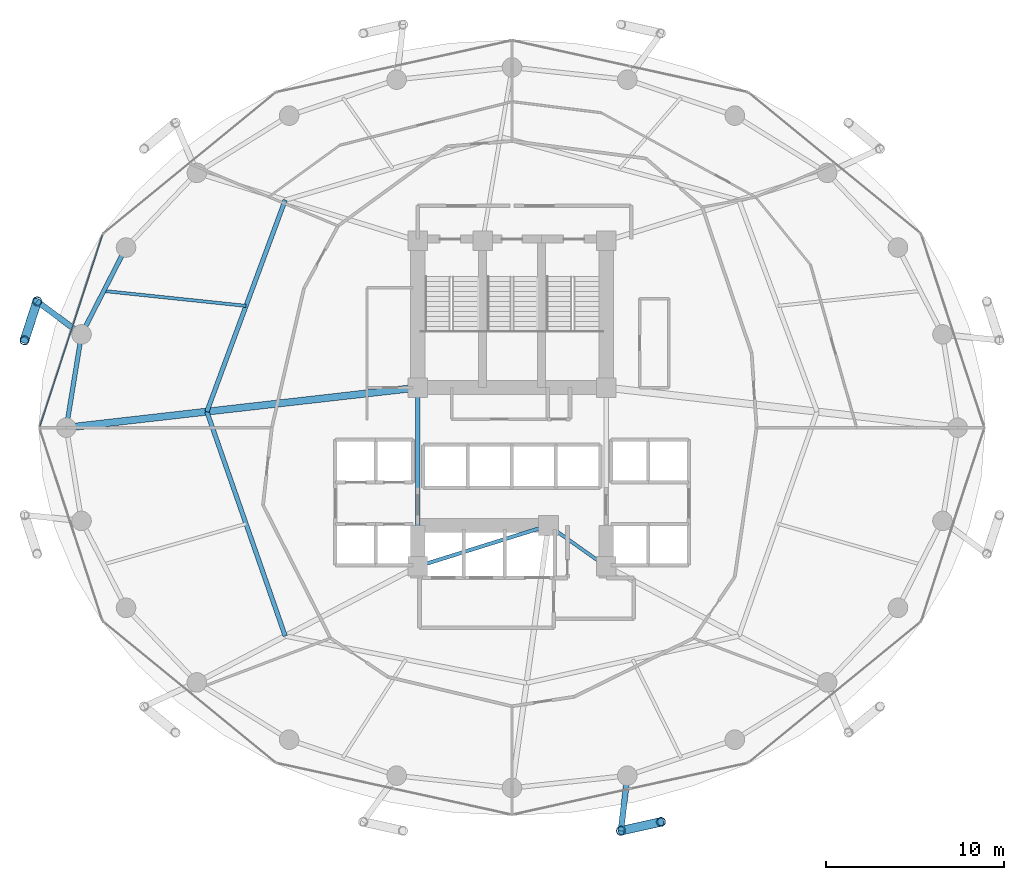
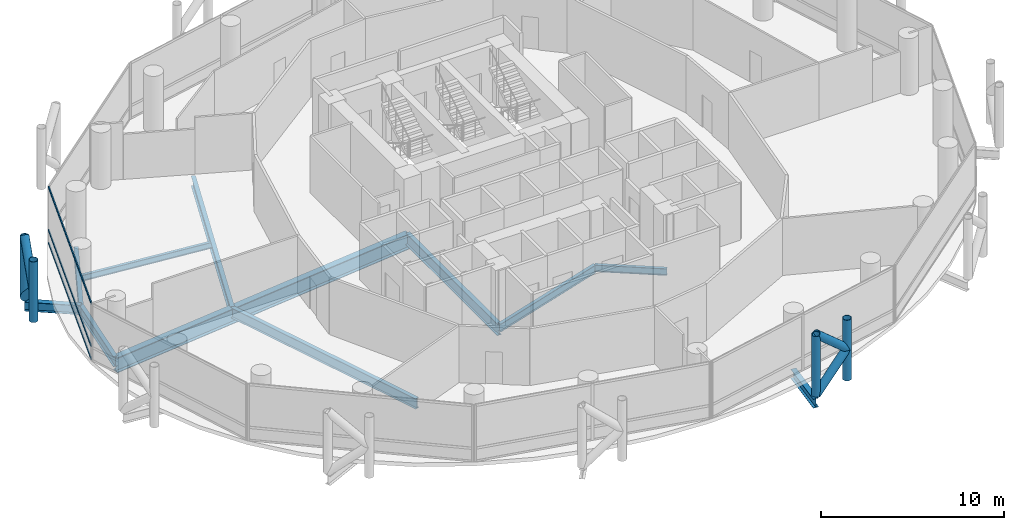
# One storey, part 7 of 25: 11 beams, 11 members, 1 element without a shape of its own.
"""IFC4 building model written with IfcOpenShell, lengths in metres."""

from ifc_helpers import new_model, si_unit, direction, frame, origin, origin_2d, place, context, subcontext, project, spatial, hollow_rectangle, hollow_circle, i_section, extrude, material, layer, layer_set, material_profile, profile_set, type_object, element, aggregate, save


model = new_model("IFC4")

# Units and contexts
model_context = context("Model", 3, precision=1e-05, world=origin(), true_north=direction((0.0, 1.0)))
body_context = subcontext(model_context, "Body", "Model", "MODEL_VIEW")
ifc_project = project(units=[si_unit("LENGTHUNIT", "METRE"), si_unit("AREAUNIT", "SQUARE_METRE"), si_unit("VOLUMEUNIT", "CUBIC_METRE"), si_unit("PLANEANGLEUNIT", "RADIAN"), si_unit("MASSUNIT", "GRAM", prefix="KILO")], contexts=[model_context])

# Site, building, storey
site_placement = place(None, origin())
site = spatial("IfcSite", under=ifc_project, at=site_placement, CompositionType="ELEMENT")
building_placement = place(site_placement, origin())
building = spatial("IfcBuilding", under=site, at=building_placement, Name="Nuhasar Tower", CompositionType="ELEMENT")
storey_placement = place(building_placement, frame((0.0, 0.0, 49.35009765625)))
storey = spatial("IfcBuildingStorey", under=building, at=storey_placement, Name="L11", CompositionType="ELEMENT", Elevation=49.35009765625)

# Beams
ifc_material_1 = material(Name="Steel S355", Category="steel")
ifc_material_profile_1 = material_profile(ifc_material_1, i_section(OverallWidth=0.25390625, OverallDepth=0.68408203125, WebThickness=0.012451171875, FlangeThickness=0.018798828125, at=origin_2d()), Name="W27X94")
ifc_profile_set_1 = profile_set([ifc_material_profile_1], Name="Steel S355")
beam_type_1 = type_object("IfcBeamType", Name="BM-INRING-W27X94", PredefinedType="BEAM", material=ifc_profile_set_1)
beam_1_placement = place(storey_placement, frame((26.251953125, 39.591064453125, -0.60205078125), z_axis=(-0.34715757476, -0.937806812881, 0.0), x_axis=(0.937806812881, -0.34715757476, 0.0)))
element("IfcBeam", 1, at=beam_1_placement, inside=storey, type_object=beam_type_1, Name="L11 Inner Header Beam 07", PredefinedType="BEAM", context=body_context, shape_type="SweptSolid", body=[
    extrude(i_section(OverallWidth=0.25390625, OverallDepth=0.68408203125, WebThickness=0.012451171875, FlangeThickness=0.018798828125, at=origin_2d()), origin(), (0.0, 0.0, 1.0), 12.6796875),
])
beam_2_placement = place(storey_placement, frame((21.85009765625, 27.699951171875, -0.60205078125), z_axis=(0.329554049858, -0.944136710558, 0.0), x_axis=(0.944136710558, 0.329554049858, 0.0)))
element("IfcBeam", 2, at=beam_2_placement, inside=storey, type_object=beam_type_1, Name="L11 Inner Header Beam 08", PredefinedType="BEAM", context=body_context, shape_type="SweptSolid", body=[
    extrude(i_section(OverallWidth=0.25390625, OverallDepth=0.68408203125, WebThickness=0.012451171875, FlangeThickness=0.018798828125, at=origin_2d()), origin(), (0.0, 0.0, 1.0), 13.35693359375),
])
ifc_material_profile_2 = material_profile(ifc_material_1, i_section(OverallWidth=0.177978515625, OverallDepth=0.406005859375, WebThickness=0.0078125, FlangeThickness=0.0126953125, at=origin_2d()), Name="W16X40")
ifc_profile_set_2 = profile_set([ifc_material_profile_2], Name="Steel S355")
beam_type_2 = type_object("IfcBeamType", Name="BM-JST-W16X40", PredefinedType="JOIST", material=ifc_profile_set_2)
beam_3_placement = place(storey_placement, frame((24.051025390625, 33.64501953125, -0.463134765625), z_axis=(-0.994554594377, 0.104216883485, 0.0), x_axis=(-0.104216883485, -0.994554594377, 0.0)))
element("IfcBeam", 3, at=beam_3_placement, inside=storey, type_object=beam_type_2, Name="L11 Secondary Floor Joist 07", PredefinedType="JOIST", context=body_context, shape_type="SweptSolid", body=[
    extrude(i_section(OverallWidth=0.177978515625, OverallDepth=0.406005859375, WebThickness=0.0078125, FlangeThickness=0.0126953125, at=origin_2d()), origin(), (0.0, 0.0, 1.0), 8.039794921875),
])
ifc_material_profile_3 = material_profile(ifc_material_1, i_section(OverallWidth=0.18994140625, OverallDepth=0.45703125, WebThickness=0.009033203125, FlangeThickness=0.014404296875, at=origin_2d()), Name="W18X50")
ifc_profile_set_3 = profile_set([ifc_material_profile_3], Name="Steel S355")
beam_type_3 = type_object("IfcBeamType", Name="BM-RAD-W18X50", PredefinedType="BEAM", material=ifc_profile_set_3)
beam_4_placement = place(storey_placement, frame((41.050048828125, 21.300048828125, -0.488037109375), z_axis=(0.816265428953, -0.577677028708, 0.0), x_axis=(0.577677028708, 0.816265428953, 0.0)))
element("IfcBeam", 4, at=beam_4_placement, inside=storey, type_object=beam_type_3, Name="L11 Core Ring Girder 2", PredefinedType="BEAM", context=body_context, shape_type="SweptSolid", body=[
    extrude(i_section(OverallWidth=0.18994140625, OverallDepth=0.45703125, WebThickness=0.009033203125, FlangeThickness=0.014404296875, at=origin_2d()), origin(), (0.0, 0.0, 1.0), 3.9814453125),
])
ifc_material_profile_4 = material_profile(ifc_material_1, i_section(OverallWidth=0.208984375, OverallDepth=0.532958984375, WebThickness=0.01025390625, FlangeThickness=0.015625, at=origin_2d()), Name="W21X62")
ifc_profile_set_4 = profile_set([ifc_material_profile_4], Name="Steel S355")
beam_type_4 = type_object("IfcBeamType", Name="BM-RAD-W21X62", PredefinedType="BEAM", material=ifc_profile_set_4)
beam_5_placement = place(storey_placement, frame((33.699951171875, 19.0, -0.526123046875), z_axis=(0.954363709454, 0.298646798205, 0.0), x_axis=(-0.298646798205, 0.954363709454, 0.0)))
element("IfcBeam", 5, at=beam_5_placement, inside=storey, type_object=beam_type_4, Name="L11 Core Ring Girder 1", PredefinedType="BEAM", context=body_context, shape_type="SweptSolid", body=[
    extrude(i_section(OverallWidth=0.208984375, OverallDepth=0.532958984375, WebThickness=0.01025390625, FlangeThickness=0.015625, at=origin_2d()), origin(), (0.0, 0.0, 1.0), 7.70166015625),
])
ifc_material_profile_5 = material_profile(ifc_material_1, i_section(OverallWidth=0.26611328125, OverallDepth=0.779052734375, WebThickness=0.0166015625, FlangeThickness=0.030029296875, at=origin_2d()), Name="W30X148")
ifc_profile_set_5 = profile_set([ifc_material_profile_5], Name="Steel S355")
beam_type_5 = type_object("IfcBeamType", Name="BM-RAD-W30X148", PredefinedType="BEAM", material=ifc_profile_set_5)
beam_6_placement = place(storey_placement, frame((33.699951171875, 29.050048828125, -0.649169921875), z_axis=(0.0, -1.0, 0.0), x_axis=(1.0, 0.0, 0.0)))
element("IfcBeam", 6, at=beam_6_placement, inside=storey, type_object=beam_type_5, Name="L11 Core Ring Girder 8", PredefinedType="BEAM", context=body_context, shape_type="SweptSolid", body=[
    extrude(i_section(OverallWidth=0.26611328125, OverallDepth=0.779052734375, WebThickness=0.0166015625, FlangeThickness=0.030029296875, at=origin_2d()), origin(), (0.0, 0.0, 1.0), 10.050048828125),
])
ifc_material_profile_6 = material_profile(ifc_material_1, i_section(OverallWidth=0.256103515625, OverallDepth=0.693115234375, WebThickness=0.014404296875, FlangeThickness=0.023681640625, at=origin_2d()), Name="W27X114")
ifc_profile_set_6 = profile_set([ifc_material_profile_6], Name="Steel S355")
beam_type_6 = type_object("IfcBeamType", Name="BM-RING-W27X114", PredefinedType="SPANDREL", material=ifc_profile_set_6)
beam_7_placement = place(storey_placement, frame((17.305908203125, 36.925048828125, -0.606201171875), z_axis=(-0.455930023905, -0.890015625314, 0.0), x_axis=(0.890015625314, -0.455930023905, 0.0)))
element("IfcBeam", 7, at=beam_7_placement, inside=storey, type_object=beam_type_6, Name="L11 Perimeter Ring Spandrel 11", PredefinedType="SPANDREL", context=body_context, shape_type="SweptSolid", body=[
    extrude(i_section(OverallWidth=0.256103515625, OverallDepth=0.693115234375, WebThickness=0.014404296875, FlangeThickness=0.023681640625, at=origin_2d()), origin(), (0.0, 0.0, 1.0), 5.487548828125),
])
beam_8_placement = place(storey_placement, frame((14.803955078125, 32.041015625, -0.606201171875), z_axis=(-0.160826635486, -0.986982671235, 0.0), x_axis=(0.986982671235, -0.160826635486, 0.0)))
element("IfcBeam", 8, at=beam_8_placement, inside=storey, type_object=beam_type_6, Name="L11 Perimeter Ring Spandrel 12", PredefinedType="SPANDREL", context=body_context, shape_type="SweptSolid", body=[
    extrude(i_section(OverallWidth=0.256103515625, OverallDepth=0.693115234375, WebThickness=0.014404296875, FlangeThickness=0.023681640625, at=origin_2d()), origin(), (0.0, 0.0, 1.0), 5.31005859375),
])
ifc_material_profile_7 = material_profile(ifc_material_1, i_section(OverallWidth=0.323974609375, OverallDepth=0.611083984375, WebThickness=0.0126953125, FlangeThickness=0.01904296875, at=origin_2d()), Name="W24X104")
ifc_profile_set_7 = profile_set([ifc_material_profile_7], Name="Steel S355")
beam_type_7 = type_object("IfcBeamType", Name="BM-TIE-W24X104", PredefinedType="BEAM", material=ifc_profile_set_7)
beam_9_placement = place(storey_placement, frame((14.803955078125, 32.041015625, -0.565185546875), z_axis=(-0.802151061326, 0.597121155892, 0.0), x_axis=(-0.597121155892, -0.802151061326, 0.0)))
element("IfcBeam", 9, at=beam_9_placement, inside=storey, type_object=beam_type_7, Name="L11 Exoskeleton Node Tie Beam 06", PredefinedType="BEAM", context=body_context, shape_type="SweptSolid", body=[
    extrude(i_section(OverallWidth=0.323974609375, OverallDepth=0.611083984375, WebThickness=0.0126953125, FlangeThickness=0.01904296875, at=origin_2d()), origin(), (0.0, 0.0, 1.0), 3.111328125),
])
beam_10_placement = place(storey_placement, frame((45.48291015625, 7.239990234375, -0.565185546875), z_axis=(-0.115042934281, -0.993360520291, 0.0), x_axis=(0.993360520291, -0.115042934281, 0.0)))
element("IfcBeam", 10, at=beam_10_placement, inside=storey, type_object=beam_type_7, Name="L11 Exoskeleton Node Tie Beam 10", PredefinedType="BEAM", context=body_context, shape_type="SweptSolid", body=[
    extrude(i_section(OverallWidth=0.323974609375, OverallDepth=0.611083984375, WebThickness=0.0126953125, FlangeThickness=0.01904296875, at=origin_2d()), origin(), (0.0, 0.0, 1.0), 3.11962890625),
])
ifc_material_2 = material(Name="Steel S460", Category="steel")
ifc_material_profile_8 = material_profile(ifc_material_2, i_section(OverallWidth=0.40087890625, OverallDepth=1.010009765625, WebThickness=0.023681640625, FlangeThickness=0.0419921875, at=origin_2d()), Name="W40X297")
ifc_profile_set_8 = profile_set([ifc_material_profile_8], Name="Steel S460")
beam_type_8 = type_object("IfcBeamType", Name="BM-XFER-W40X297", PredefinedType="USERDEFINED", material=ifc_profile_set_8)
beam_11_placement = place(storey_placement, frame((33.699951171875, 29.050048828125, -0.76513671875), z_axis=(-0.993573147212, -0.113191877531, 0.0), x_axis=(0.113191877531, -0.993573147212, 0.0)))
element("IfcBeam", 11, at=beam_11_placement, inside=storey, type_object=beam_type_8, Name="L11 Radial Floor Girder 08", ObjectType="GIRDER", PredefinedType="USERDEFINED", context=body_context, shape_type="SweptSolid", body=[
    extrude(i_section(OverallWidth=0.40087890625, OverallDepth=1.010009765625, WebThickness=0.023681640625, FlangeThickness=0.0419921875, at=origin_2d()), origin(), (0.0, 0.0, 1.0), 19.877685546875),
])

# Curtain wall, members
ifc_material_3 = material(Name="Aluminium 6063-T6", Category="aluminium")
ifc_layer = layer(ifc_material_3, 0.199951171875)
ifc_layer_set = layer_set([ifc_layer], Name="Aluminium 6063-T6")
curtain_wall_type = type_object("IfcCurtainWallType", Name="CW-Z1-OFF", PredefinedType="NOTDEFINED", material=ifc_layer_set)
curtain_wall_placement = place(storey_placement, origin())
curtain_wall = element("IfcCurtainWall", 12, at=curtain_wall_placement, inside=storey, type_object=curtain_wall_type, Name="L11 Unitised Curtain Wall 06", PredefinedType="NOTDEFINED")
ifc_material_profile_9 = material_profile(ifc_material_3, hollow_rectangle(XDim=0.06494140625, YDim=0.14990234375, WallThickness=0.00439453125, at=origin_2d()), Name="CWT-2")
ifc_profile_set_9 = profile_set([ifc_material_profile_9], Name="Aluminium 6063-T6")
member_type_1 = type_object("IfcMemberType", Name="CW-TRN-S2", PredefinedType="USERDEFINED", material=ifc_profile_set_9)
member_1_placement = place(storey_placement, frame((15.977783203125, 37.6181640625, 0.032470703125), z_axis=(-0.31082506089, -0.950467138581, 0.0), x_axis=(0.950467138581, -0.31082506089, 0.0)))
member_1 = element("IfcMember", 13, at=member_1_placement, type_object=member_type_1, Name="CW-Z1 transom 1.1", ObjectType="TRANSOM", PredefinedType="USERDEFINED", context=body_context, shape_type="SweptSolid", body=[
    extrude(hollow_rectangle(XDim=0.06494140625, YDim=0.14990234375, WallThickness=0.00439453125, at=origin_2d()), origin(), (0.0, 0.0, 1.0), 11.31689453125),
])
member_2_placement = place(storey_placement, frame((15.977783203125, 37.6181640625, 0.89990234375), z_axis=(-0.31082506089, -0.950467138581, 0.0), x_axis=(0.950467138581, -0.31082506089, 0.0)))
member_2 = element("IfcMember", 14, at=member_2_placement, type_object=member_type_1, Name="CW-Z1 transom 1.2", ObjectType="TRANSOM", PredefinedType="USERDEFINED", context=body_context, shape_type="SweptSolid", body=[
    extrude(hollow_rectangle(XDim=0.06494140625, YDim=0.14990234375, WallThickness=0.00439453125, at=origin_2d()), origin(), (0.0, 0.0, 1.0), 11.31689453125),
])
member_3_placement = place(storey_placement, frame((15.977783203125, 37.6181640625, 3.75732421875), z_axis=(-0.31082506089, -0.950467138581, 0.0), x_axis=(0.950467138581, -0.31082506089, 0.0)))
member_3 = element("IfcMember", 15, at=member_3_placement, type_object=member_type_1, Name="CW-Z1 transom 1.3", ObjectType="TRANSOM", PredefinedType="USERDEFINED", context=body_context, shape_type="SweptSolid", body=[
    extrude(hollow_rectangle(XDim=0.06494140625, YDim=0.14990234375, WallThickness=0.00439453125, at=origin_2d()), origin(), (0.0, 0.0, 1.0), 11.31689453125),
])
aggregate(curtain_wall, [member_1, member_2, member_3])

# Members
ifc_material_profile_10 = material_profile(ifc_material_2, hollow_circle(Radius=0.25390625, WallThickness=0.025390625, at=origin_2d()), Name="HSS508X25.4")
ifc_profile_set_10 = profile_set([ifc_material_profile_10], Name="Steel S460")
member_type_2 = type_object("IfcMemberType", Name="EXO-BRONZE-508", PredefinedType="BRACE", material=ifc_profile_set_10)
for number, where, z_axis, x_axis, name in (
    (16, (12.30810546875, 33.89892578125, 0.0), (0.0, 0.0, 1.0), (1.0, 0.0, 0.0), "L11 Exoskeleton Chord Column EC-06A"),
    (17, (11.60009765625, 31.7099609375, 0.0), (0.0, 0.0, 1.0), (1.0, 0.0, 0.0), "L11 Exoskeleton Chord Column EC-06B"),
    (18, (45.1240234375, 4.14111328125, 0.0), (0.0, 0.0, 1.0), (1.0, 0.0, 0.0), "L11 Exoskeleton Chord Column EC-10A"),
    (19, (47.3701171875, 4.639892578125, 0.0), (0.0, 0.0, 1.0), (1.0, 0.0, 0.0), "L11 Exoskeleton Chord Column EC-10B"),
):
    element("IfcMember", number, at=place(storey_placement, frame(where, z_axis=z_axis, x_axis=x_axis)), inside=storey, type_object=member_type_2, Name=name, PredefinedType="BRACE", context=body_context, shape_type="SweptSolid", body=[
        extrude(hollow_circle(Radius=0.25390625, WallThickness=0.025390625, at=origin_2d()), origin(), (0.0, 0.0, 1.0), 4.0498046875),
    ])
for number, where, z_axis, x_axis, name in (
    (20, (12.30810546875, 33.89892578125, 0.0), (-0.231011836313, -0.714224870475, 0.660693851854), (0.951468282519, -0.307746823478, 0.0), "L11 Bronze Diagrid Brace W1-06"),
    (21, (11.60009765625, 31.7099609375, 2.02490234375), (0.231011836313, 0.714224870475, 0.660693851854), (-0.951468282519, 0.307746823478, 0.0), "L11 Bronze Diagrid Brace W2-06"),
):
    element("IfcMember", number, at=place(storey_placement, frame(where, z_axis=z_axis, x_axis=x_axis)), inside=storey, type_object=member_type_2, Name=name, PredefinedType="BRACE", context=body_context, shape_type="SweptSolid", body=[
        extrude(hollow_circle(Radius=0.25390625, WallThickness=0.025390625, at=origin_2d()), origin(), (0.0, 0.0, 1.0), 3.064697265625),
    ])
for number, where, z_axis, x_axis, name in (
    (22, (45.1240234375, 4.14111328125, 0.0), (0.732830973624, 0.162736269469, 0.66066305383), (-0.216784396973, 0.976219506683, 0.0), "L11 Bronze Diagrid Brace W1-10"),
    (23, (47.3701171875, 4.639892578125, 2.02490234375), (-0.732830973624, -0.162736269469, 0.66066305383), (0.216784396973, -0.976219506683, 0.0), "L11 Bronze Diagrid Brace W2-10"),
):
    element("IfcMember", number, at=place(storey_placement, frame(where, z_axis=z_axis, x_axis=x_axis)), inside=storey, type_object=member_type_2, Name=name, PredefinedType="BRACE", context=body_context, shape_type="SweptSolid", body=[
        extrude(hollow_circle(Radius=0.25390625, WallThickness=0.025390625, at=origin_2d()), origin(), (0.0, 0.0, 1.0), 3.06494140625),
    ])

save(model, "model.ifc")
